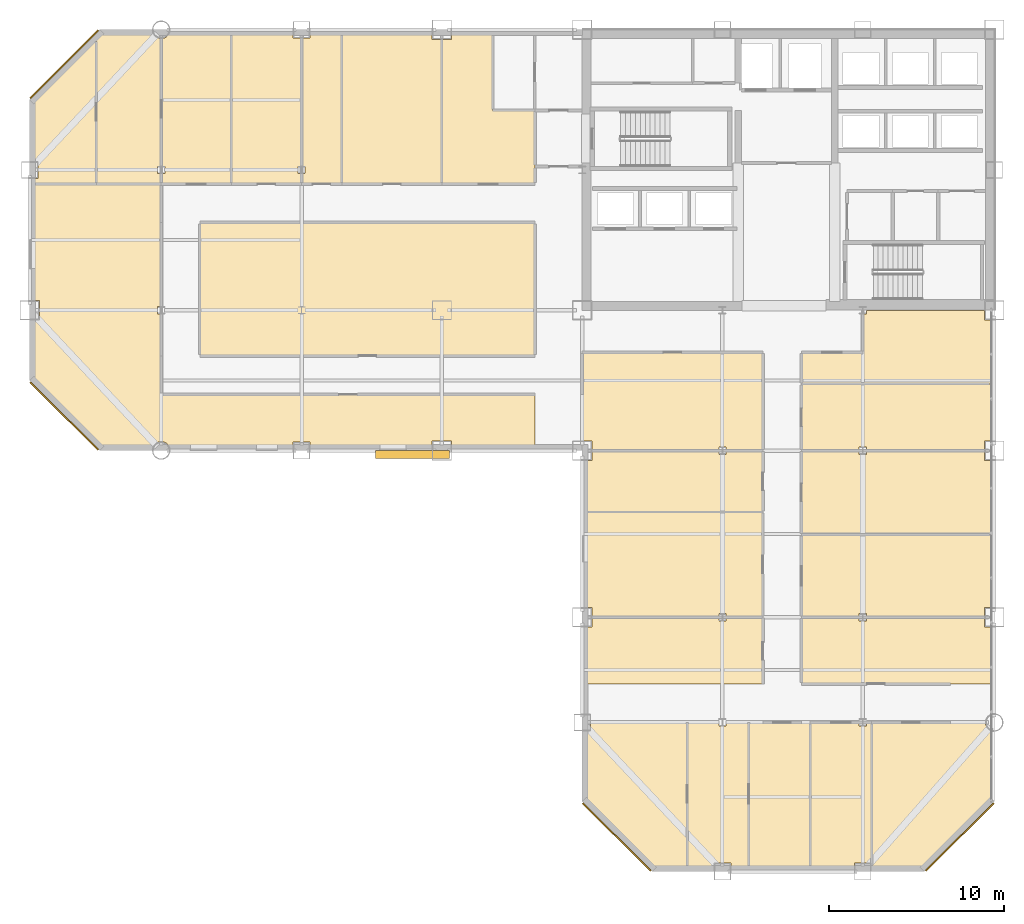
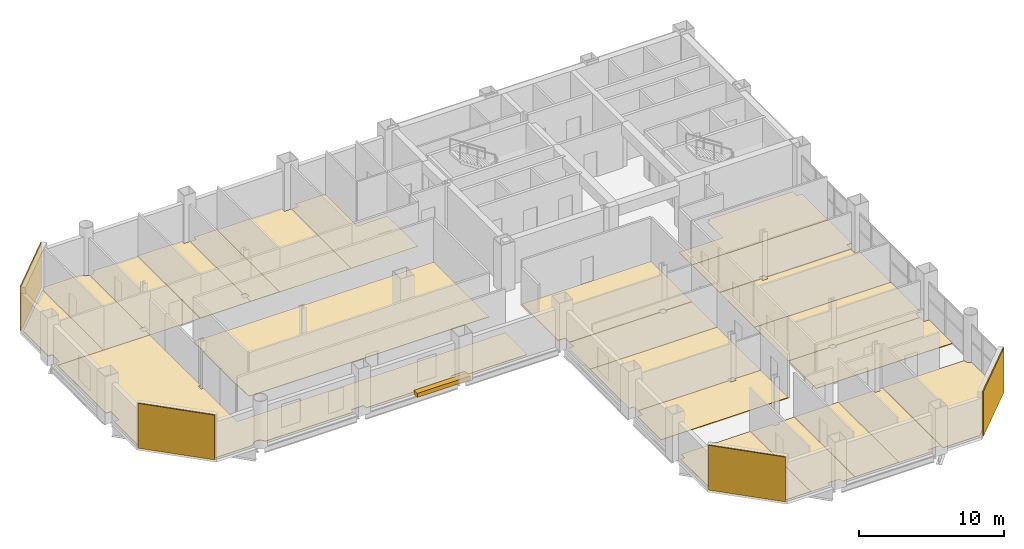
# One storey, part 15 of 16: 27 coverings, 1 shading device.
"""IFC4 building model written with IfcOpenShell, lengths in metres."""

from ifc_helpers import new_model, si_unit, direction, frame, origin, origin_2d, place, context, subcontext, project, spatial, polyline, rectangle, outline, extrude, material, layer, layer_set, type_object, element, save


model = new_model("IFC4")

# Units and contexts
model_context = context("Model", 3, precision=1e-05, world=origin(), true_north=direction((0.0, 1.0)))
body_context = subcontext(model_context, "Body", "Model", "MODEL_VIEW")
ifc_project = project(units=[si_unit("LENGTHUNIT", "METRE"), si_unit("AREAUNIT", "SQUARE_METRE"), si_unit("VOLUMEUNIT", "CUBIC_METRE"), si_unit("PLANEANGLEUNIT", "RADIAN"), si_unit("MASSUNIT", "GRAM", prefix="KILO")], contexts=[model_context])

# Site, building, storey
site_placement = place(None, origin())
site = spatial("IfcSite", under=ifc_project, at=site_placement, CompositionType="ELEMENT")
building_placement = place(site_placement, origin())
building = spatial("IfcBuilding", under=site, at=building_placement, Name="Qianrong Seaharbour Tower", CompositionType="ELEMENT")
storey_placement = place(building_placement, frame((0.0, 0.0, 127.0)))
storey = spatial("IfcBuildingStorey", under=building, at=storey_placement, Name="L30", CompositionType="ELEMENT", Elevation=127.0)

# Coverings
ifc_material_1 = material(Name="Unitised red brick cladding on Precast concrete C45/55", Category="masonry")
ifc_layer_1 = layer(ifc_material_1, 0.080078125)
ifc_layer_set_1 = layer_set([ifc_layer_1], Name="Unitised red brick cladding on Precast concrete C45/55")
covering_type_1 = type_object("IfcCoveringType", Name="COV-CLAD-RED-BRICK-80", PredefinedType="CLADDING", material=ifc_layer_set_1)
for number, where, z_axis, x_axis, name in (
    (1, (10.9716796875, 29.9716796875, 0.0), (0.0, 0.0, 1.0), (-0.707106781187, 0.707106781187, 0.0), "L30 Chamfer Corner Brick Cladding 02"),
    (2, (10.9716796875, 50.0283203125, 0.0), (0.0, 0.0, 1.0), (0.707106781187, 0.707106781187, 0.0), "L30 Chamfer Corner Brick Cladding 04"),
    (3, (62.0283203125, 5.9716796875, 0.0), (0.0, 0.0, 1.0), (-0.707106781187, -0.707106781187, 0.0), "L30 Chamfer Corner Brick Cladding 07"),
    (4, (42.4716796875, 5.9716796875, 0.0), (0.0, 0.0, 1.0), (-0.707106781187, 0.707106781187, 0.0), "L30 Chamfer Corner Brick Cladding 09"),
):
    element("IfcCovering", number, at=place(storey_placement, frame(where, z_axis=z_axis, x_axis=x_axis)), inside=storey, type_object=covering_type_1, Name=name, PredefinedType="CLADDING", context=body_context, shape_type="SweptSolid", body=[
        extrude(rectangle(XDim=5.456787109375, YDim=0.080078125, at=origin_2d()), origin(), (0.0, 0.0, 1.0), 3.764892578125),
    ])
ifc_material_2 = material(Name="Acoustic modular carpet tile flooring")
ifc_layer_2 = layer(ifc_material_2, 0.02001953125)
ifc_layer_set_2 = layer_set([ifc_layer_2], Name="Acoustic modular carpet tile flooring")
covering_type_2 = type_object("IfcCoveringType", Name="COV-FLOOR-CARPET-20", PredefinedType="FLOORING", material=ifc_layer_set_2)
covering_1_placement = place(storey_placement, origin())
element("IfcCovering", 5, at=covering_1_placement, inside=storey, type_object=covering_type_2, Name="L30 Focus Room 2 Finish Flooring", PredefinedType="FLOORING", context=body_context, shape_type="SweptSolid", body=[
    extrude(outline(polyline([(12.800048828125, 51.566650390625), (13.068359375, 51.8349609375), (16.019775390625, 51.8349609375), (16.02880859375, 51.8046875), (16.075927734375, 51.716796875), (16.139404296875, 51.639404296875), (16.216796875, 51.575927734375), (16.3046875, 51.52880859375), (16.400390625, 51.499755859375), (16.5, 51.489990234375), (16.5, 44.2099609375), (16.2900390625, 44.2099609375), (16.2900390625, 43.7900390625), (16.5, 43.7900390625), (16.5, 43.199951171875), (12.800048828125, 43.199951171875), (12.800048828125, 51.566650390625)])), origin(), (0.0, 0.0, 1.0), 0.02001953125),
])
covering_2_placement = place(storey_placement, origin())
element("IfcCovering", 6, at=covering_2_placement, inside=storey, type_object=covering_type_2, Name="L30 Meeting Room 3 Finish Flooring", PredefinedType="FLOORING", context=body_context, shape_type="SweptSolid", body=[
    extrude(outline(polyline([(16.5, 43.7900390625), (16.7099609375, 43.7900390625), (16.7099609375, 44.2099609375), (16.5, 44.2099609375), (16.5, 51.489990234375), (16.599609375, 51.499755859375), (16.6953125, 51.52880859375), (16.783203125, 51.575927734375), (16.860595703125, 51.639404296875), (16.924072265625, 51.716796875), (16.97119140625, 51.8046875), (16.980224609375, 51.8349609375), (20.5, 51.8349609375), (20.5, 43.199951171875), (16.5, 43.199951171875), (16.5, 43.7900390625)])), origin(), (0.0, 0.0, 1.0), 0.02001953125),
])
covering_3_placement = place(storey_placement, origin())
element("IfcCovering", 7, at=covering_3_placement, inside=storey, type_object=covering_type_2, Name="L30 Focus Room 6 Finish Flooring", PredefinedType="FLOORING", context=body_context, shape_type="SweptSolid", body=[
    extrude(outline(polyline([(26.800048828125, 51.8349609375), (31.93994140625, 51.8349609375), (31.93994140625, 51.43994140625), (32.5, 51.43994140625), (32.5, 43.199951171875), (26.800048828125, 43.199951171875), (26.800048828125, 51.8349609375)])), origin(), (0.0, 0.0, 1.0), 0.02001953125),
])
covering_4_placement = place(storey_placement, origin())
element("IfcCovering", 8, at=covering_4_placement, inside=storey, type_object=covering_type_2, Name="L30 Meeting Room 7 Finish Flooring", PredefinedType="FLOORING", context=body_context, shape_type="SweptSolid", body=[
    extrude(outline(polyline([(32.5, 51.43994140625), (33.06005859375, 51.43994140625), (33.06005859375, 51.8349609375), (35.39990234375, 51.8349609375), (35.39990234375, 47.39990234375), (37.800048828125, 47.39990234375), (37.800048828125, 43.199951171875), (32.5, 43.199951171875), (32.5, 51.43994140625)])), origin(), (0.0, 0.0, 1.0), 0.02001953125),
])
covering_5_placement = place(storey_placement, origin())
element("IfcCovering", 9, at=covering_5_placement, inside=storey, type_object=covering_type_2, Name="L30 Boardroom 2 Finish Flooring", PredefinedType="FLOORING", context=body_context, shape_type="SweptSolid", body=[
    extrude(outline(polyline([(63.8349609375, 23.199951171875), (63.8349609375, 19.06005859375), (63.43994140625, 19.06005859375), (63.43994140625, 18.5), (56.7099609375, 18.5), (56.7099609375, 18.7099609375), (56.2900390625, 18.7099609375), (56.2900390625, 18.5), (53.0, 18.5), (53.0, 23.199951171875), (63.8349609375, 23.199951171875)])), origin(), (0.0, 0.0, 1.0), 0.02001953125),
])
covering_6_placement = place(storey_placement, origin())
element("IfcCovering", 10, at=covering_6_placement, inside=storey, type_object=covering_type_2, Name="L30 Focus Room 3 Finish Flooring", PredefinedType="FLOORING", context=body_context, shape_type="SweptSolid", body=[
    extrude(outline(polyline([(56.2900390625, 28.0), (56.2900390625, 27.7900390625), (56.7099609375, 27.7900390625), (56.7099609375, 28.0), (63.43994140625, 28.0), (63.43994140625, 27.43994140625), (63.8349609375, 27.43994140625), (63.8349609375, 23.199951171875), (53.0, 23.199951171875), (53.0, 28.0), (56.2900390625, 28.0)])), origin(), (0.0, 0.0, 1.0), 0.02001953125),
])
covering_7_placement = place(storey_placement, origin())
element("IfcCovering", 11, at=covering_7_placement, inside=storey, type_object=covering_type_2, Name="L30 Boardroom 5 Finish Flooring", PredefinedType="FLOORING", context=body_context, shape_type="SweptSolid", body=[
    extrude(outline(polyline([(56.5, 33.60009765625), (56.5, 35.7900390625), (56.7099609375, 35.7900390625), (56.7099609375, 36.0), (63.43994140625, 36.0), (63.43994140625, 35.43994140625), (63.8349609375, 35.43994140625), (63.8349609375, 31.800048828125), (53.0, 31.800048828125), (53.0, 33.60009765625), (56.5, 33.60009765625)])), origin(), (0.0, 0.0, 1.0), 0.02001953125),
])
covering_8_placement = place(storey_placement, origin())
element("IfcCovering", 12, at=covering_8_placement, inside=storey, type_object=covering_type_2, Name="L30 Wet Pantry 2 Finish Flooring", PredefinedType="FLOORING", context=body_context, shape_type="SweptSolid", body=[
    extrude(outline(polyline([(48.7099609375, 18.5), (48.7099609375, 18.7099609375), (48.2900390625, 18.7099609375), (48.2900390625, 18.5), (41.06005859375, 18.5), (41.06005859375, 19.06005859375), (40.6650390625, 19.06005859375), (40.6650390625, 24.5), (50.800048828125, 24.5), (50.800048828125, 18.5), (48.7099609375, 18.5)])), origin(), (0.0, 0.0, 1.0), 0.02001953125),
])
covering_9_placement = place(storey_placement, origin())
element("IfcCovering", 13, at=covering_9_placement, inside=storey, type_object=covering_type_2, Name="L30 Focus Room 3 Finish Flooring", PredefinedType="FLOORING", context=body_context, shape_type="SweptSolid", body=[
    extrude(outline(polyline([(40.6650390625, 24.5), (40.6650390625, 27.43994140625), (41.06005859375, 27.43994140625), (41.06005859375, 28.0), (48.2900390625, 28.0), (48.2900390625, 27.7900390625), (48.7099609375, 27.7900390625), (48.7099609375, 28.0), (50.800048828125, 28.0), (50.800048828125, 24.5), (40.6650390625, 24.5)])), origin(), (0.0, 0.0, 1.0), 0.02001953125),
])
covering_10_placement = place(storey_placement, origin())
element("IfcCovering", 14, at=covering_10_placement, inside=storey, type_object=covering_type_2, Name="L30 Meeting Room 2 Finish Flooring", PredefinedType="FLOORING", context=body_context, shape_type="SweptSolid", body=[
    extrude(outline(polyline([(50.0, 4.1650390625), (48.985107421875, 4.1650390625), (48.985107421875, 4.485107421875), (48.014892578125, 4.485107421875), (48.014892578125, 4.1650390625), (46.5, 4.1650390625), (46.5, 12.5), (48.2900390625, 12.5), (48.2900390625, 12.2900390625), (48.7099609375, 12.2900390625), (48.7099609375, 12.5), (50.0, 12.5), (50.0, 4.1650390625)])), origin(), (0.0, 0.0, 1.0), 0.02001953125),
])
covering_11_placement = place(storey_placement, origin())
element("IfcCovering", 15, at=covering_11_placement, inside=storey, type_object=covering_type_2, Name="L30 Meeting Room 4 Finish Flooring", PredefinedType="FLOORING", context=body_context, shape_type="SweptSolid", body=[
    extrude(outline(polyline([(57.0, 4.485107421875), (56.014892578125, 4.485107421875), (56.014892578125, 4.1650390625), (53.5, 4.1650390625), (53.5, 12.5), (56.2900390625, 12.5), (56.2900390625, 12.2900390625), (56.7099609375, 12.2900390625), (56.7099609375, 12.5), (57.0, 12.5), (57.0, 4.485107421875)])), origin(), (0.0, 0.0, 1.0), 0.02001953125),
])
ifc_material_3 = material(Name="Calcium-sulphate raised access floor tile")
ifc_layer_3 = layer(ifc_material_3, 0.044921875)
ifc_layer_set_3 = layer_set([ifc_layer_3], Name="Calcium-sulphate raised access floor tile")
covering_type_3 = type_object("IfcCoveringType", Name="COV-FLOOR-RAISED-45", PredefinedType="FLOORING", material=ifc_layer_set_3)
covering_12_placement = place(storey_placement, origin())
element("IfcCovering", 16, at=covering_12_placement, inside=storey, type_object=covering_type_3, Name="L30 Open-Plan Office Finish Flooring", PredefinedType="FLOORING", context=body_context, shape_type="SweptSolid", body=[
    extrude(outline(polyline([(33.06005859375, 28.1650390625), (33.06005859375, 28.56005859375), (31.93994140625, 28.56005859375), (31.93994140625, 28.1650390625), (24.985107421875, 28.1650390625), (24.985107421875, 28.485107421875), (24.014892578125, 28.485107421875), (24.014892578125, 28.1650390625), (16.980224609375, 28.1650390625), (16.97119140625, 28.1953125), (16.924072265625, 28.283203125), (16.860595703125, 28.360595703125), (16.783203125, 28.424072265625), (16.6953125, 28.47119140625), (16.599609375, 28.500244140625), (16.5, 28.510009765625), (16.400390625, 28.500244140625), (16.3046875, 28.47119140625), (16.216796875, 28.424072265625), (16.139404296875, 28.360595703125), (16.075927734375, 28.283203125), (16.02880859375, 28.1953125), (16.019775390625, 28.1650390625), (13.068359375, 28.1650390625), (9.1650390625, 32.068359375), (9.1650390625, 35.43994140625), (9.56005859375, 35.43994140625), (9.56005859375, 36.56005859375), (9.1650390625, 36.56005859375), (9.1650390625, 43.199951171875), (16.5, 43.199951171875), (16.5, 36.2099609375), (16.2900390625, 36.2099609375), (16.2900390625, 35.7900390625), (16.5, 35.7900390625), (16.5, 31.199951171875), (37.800048828125, 31.199951171875), (37.800048828125, 28.1650390625), (33.06005859375, 28.1650390625)])), origin(), (0.0, 0.0, 1.0), 0.044921875),
])
covering_13_placement = place(storey_placement, origin())
element("IfcCovering", 17, at=covering_13_placement, inside=storey, type_object=covering_type_3, Name="L30 West Wing Open-Plan Office Finish Flooring", PredefinedType="FLOORING", context=body_context, shape_type="SweptSolid", body=[
    extrude(outline(polyline([(37.800048828125, 41.0), (37.800048828125, 33.39990234375), (18.699951171875, 33.39990234375), (18.699951171875, 41.0), (37.800048828125, 41.0)])), origin(), (0.0, 0.0, 1.0), 0.044921875),
])
covering_14_placement = place(storey_placement, origin())
element("IfcCovering", 18, at=covering_14_placement, inside=storey, type_object=covering_type_3, Name="L30 Executive Office 1 Finish Flooring", PredefinedType="FLOORING", context=body_context, shape_type="SweptSolid", body=[
    extrude(outline(polyline([(9.1650390625, 43.514892578125), (9.485107421875, 43.514892578125), (9.485107421875, 44.485107421875), (9.1650390625, 44.485107421875), (9.1650390625, 47.931640625), (12.800048828125, 51.566650390625), (12.800048828125, 43.199951171875), (9.1650390625, 43.199951171875), (9.1650390625, 43.514892578125)])), origin(), (0.0, 0.0, 1.0), 0.044921875),
])
covering_15_placement = place(storey_placement, origin())
element("IfcCovering", 19, at=covering_15_placement, inside=storey, type_object=covering_type_3, Name="L30 Executive Office 4 Finish Flooring", PredefinedType="FLOORING", context=body_context, shape_type="SweptSolid", body=[
    extrude(outline(polyline([(20.5, 51.8349609375), (24.014892578125, 51.8349609375), (24.014892578125, 51.514892578125), (24.5, 51.514892578125), (24.5, 44.2099609375), (24.2900390625, 44.2099609375), (24.2900390625, 43.7900390625), (24.5, 43.7900390625), (24.5, 43.199951171875), (20.5, 43.199951171875), (20.5, 51.8349609375)])), origin(), (0.0, 0.0, 1.0), 0.044921875),
])
covering_16_placement = place(storey_placement, origin())
element("IfcCovering", 20, at=covering_16_placement, inside=storey, type_object=covering_type_3, Name="L30 Executive Office 5 Finish Flooring", PredefinedType="FLOORING", context=body_context, shape_type="SweptSolid", body=[
    extrude(outline(polyline([(24.5, 43.7900390625), (24.7099609375, 43.7900390625), (24.7099609375, 44.2099609375), (24.5, 44.2099609375), (24.5, 51.514892578125), (24.985107421875, 51.514892578125), (24.985107421875, 51.8349609375), (26.800048828125, 51.8349609375), (26.800048828125, 43.199951171875), (24.5, 43.199951171875), (24.5, 43.7900390625)])), origin(), (0.0, 0.0, 1.0), 0.044921875),
])
covering_17_placement = place(storey_placement, origin())
element("IfcCovering", 21, at=covering_17_placement, inside=storey, type_object=covering_type_3, Name="L30 Executive Office 1 Finish Flooring", PredefinedType="FLOORING", context=body_context, shape_type="SweptSolid", body=[
    extrude(outline(polyline([(56.2900390625, 18.5), (56.2900390625, 18.2900390625), (56.7099609375, 18.2900390625), (56.7099609375, 18.5), (63.43994140625, 18.5), (63.43994140625, 17.93994140625), (63.8349609375, 17.93994140625), (63.8349609375, 14.699951171875), (53.0, 14.699951171875), (53.0, 18.5), (56.2900390625, 18.5)])), origin(), (0.0, 0.0, 1.0), 0.044921875),
])
covering_18_placement = place(storey_placement, origin())
element("IfcCovering", 22, at=covering_18_placement, inside=storey, type_object=covering_type_3, Name="L30 Executive Office 4 Finish Flooring", PredefinedType="FLOORING", context=body_context, shape_type="SweptSolid", body=[
    extrude(outline(polyline([(63.8349609375, 31.800048828125), (63.8349609375, 28.56005859375), (63.43994140625, 28.56005859375), (63.43994140625, 28.0), (56.7099609375, 28.0), (56.7099609375, 28.2099609375), (56.2900390625, 28.2099609375), (56.2900390625, 28.0), (53.0, 28.0), (53.0, 31.800048828125), (63.8349609375, 31.800048828125)])), origin(), (0.0, 0.0, 1.0), 0.044921875),
])
covering_19_placement = place(storey_placement, origin())
element("IfcCovering", 23, at=covering_19_placement, inside=storey, type_object=covering_type_3, Name="L30 Executive Office 1 Finish Flooring", PredefinedType="FLOORING", context=body_context, shape_type="SweptSolid", body=[
    extrude(outline(polyline([(40.6650390625, 14.699951171875), (40.6650390625, 17.93994140625), (41.06005859375, 17.93994140625), (41.06005859375, 18.5), (48.2900390625, 18.5), (48.2900390625, 18.2900390625), (48.7099609375, 18.2900390625), (48.7099609375, 18.5), (50.800048828125, 18.5), (50.800048828125, 14.699951171875), (40.6650390625, 14.699951171875)])), origin(), (0.0, 0.0, 1.0), 0.044921875),
])
covering_20_placement = place(storey_placement, origin())
element("IfcCovering", 24, at=covering_20_placement, inside=storey, type_object=covering_type_3, Name="L30 Executive Office 4 Finish Flooring", PredefinedType="FLOORING", context=body_context, shape_type="SweptSolid", body=[
    extrude(outline(polyline([(50.800048828125, 28.0), (48.7099609375, 28.0), (48.7099609375, 28.2099609375), (48.2900390625, 28.2099609375), (48.2900390625, 28.0), (41.06005859375, 28.0), (41.06005859375, 28.56005859375), (40.5, 28.56005859375), (40.5, 33.60009765625), (50.800048828125, 33.60009765625), (50.800048828125, 28.0)])), origin(), (0.0, 0.0, 1.0), 0.044921875),
])
covering_21_placement = place(storey_placement, origin())
element("IfcCovering", 25, at=covering_21_placement, inside=storey, type_object=covering_type_3, Name="L30 Executive Office 1 Finish Flooring", PredefinedType="FLOORING", context=body_context, shape_type="SweptSolid", body=[
    extrude(outline(polyline([(44.568359375, 4.1650390625), (40.6650390625, 8.068359375), (40.6650390625, 12.014892578125), (40.985107421875, 12.014892578125), (40.985107421875, 12.5), (46.5, 12.5), (46.5, 4.1650390625), (44.568359375, 4.1650390625)])), origin(), (0.0, 0.0, 1.0), 0.044921875),
])
covering_22_placement = place(storey_placement, origin())
element("IfcCovering", 26, at=covering_22_placement, inside=storey, type_object=covering_type_3, Name="L30 Executive Office 3 Finish Flooring", PredefinedType="FLOORING", context=body_context, shape_type="SweptSolid", body=[
    extrude(outline(polyline([(53.5, 4.1650390625), (50.0, 4.1650390625), (50.0, 12.5), (53.5, 12.5), (53.5, 4.1650390625)])), origin(), (0.0, 0.0, 1.0), 0.044921875),
])
covering_23_placement = place(storey_placement, origin())
element("IfcCovering", 27, at=covering_23_placement, inside=storey, type_object=covering_type_3, Name="L30 Executive Office 5 Finish Flooring", PredefinedType="FLOORING", context=body_context, shape_type="SweptSolid", body=[
    extrude(outline(polyline([(63.8349609375, 8.068359375), (59.931640625, 4.1650390625), (57.0, 4.1650390625), (57.0, 12.5), (63.489990234375, 12.5), (63.499755859375, 12.400390625), (63.52880859375, 12.3046875), (63.575927734375, 12.216796875), (63.639404296875, 12.139404296875), (63.716796875, 12.075927734375), (63.8046875, 12.02880859375), (63.8349609375, 12.019775390625), (63.8349609375, 8.068359375)])), origin(), (0.0, 0.0, 1.0), 0.044921875),
])

# Shading device
ifc_material_4 = material(Name="White architectural precast concrete C45/55", Category="concrete")
shading_device_type = type_object("IfcShadingDeviceType", Name="SHD-SUNSHADE-WHITE-320", PredefinedType="AWNING", material=ifc_material_4)
shading_device_placement = place(storey_placement, frame((30.824951171875, 27.780029296875, -0.02001953125), z_axis=(0.0, 0.0, 1.0), x_axis=(1.0, 0.0, 0.0)))
element("IfcShadingDevice", 28, at=shading_device_placement, inside=storey, type_object=shading_device_type, Name="L30 Climbing White Precast Ribbon Canopy Fin", PredefinedType="AWNING", context=body_context, shape_type="SweptSolid", body=[
    extrude(rectangle(XDim=4.199951171875, YDim=0.4599609375, at=origin_2d()), origin(), (0.0, 0.0, 1.0), 0.340087890625),
])

save(model, "model.ifc")
